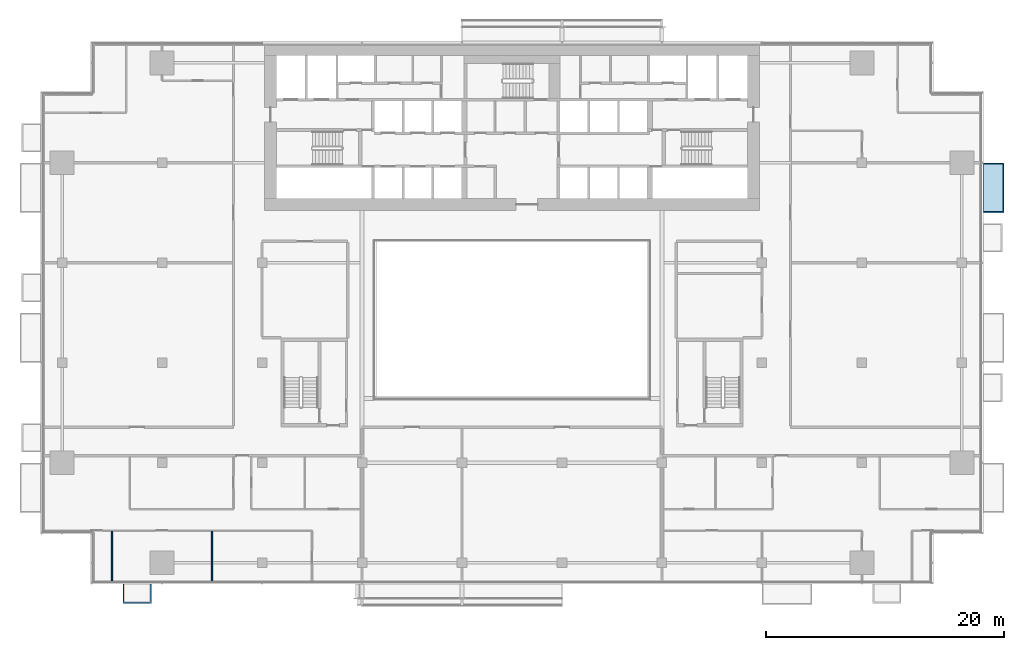
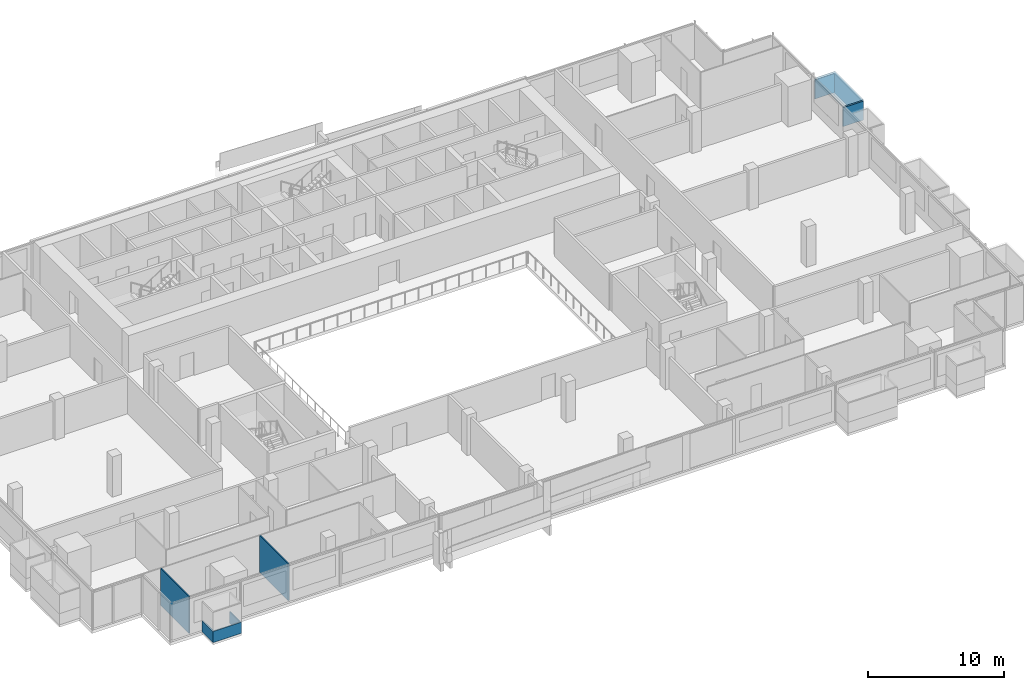
# One storey, part 17 of 26: 3 walls, 2 plates.
"""IFC4 building model written with IfcOpenShell, lengths in metres."""

from ifc_helpers import new_model, si_unit, direction, frame, frame_2d, origin, place, context, subcontext, project, spatial, polyline, rectangle, outline, extrude, material, layer, layer_set, type_object, element, save


model = new_model("IFC4")

# Units and contexts
model_context = context("Model", 3, precision=1e-05, world=origin(), true_north=direction((0.0, 1.0)))
body_context = subcontext(model_context, "Body", "Model", "MODEL_VIEW")
ifc_project = project(units=[si_unit("LENGTHUNIT", "METRE"), si_unit("AREAUNIT", "SQUARE_METRE"), si_unit("VOLUMEUNIT", "CUBIC_METRE"), si_unit("PLANEANGLEUNIT", "RADIAN"), si_unit("MASSUNIT", "GRAM", prefix="KILO")], contexts=[model_context])

# Site, building, storey
site_placement = place(None, origin())
site = spatial("IfcSite", under=ifc_project, at=site_placement, CompositionType="ELEMENT")
building_placement = place(site_placement, origin())
building = spatial("IfcBuilding", under=site, at=building_placement, Name="Saffron Gate Tower", CompositionType="ELEMENT")
storey_placement = place(building_placement, frame((0.0, 0.0, 98.85009765625)))
storey = spatial("IfcBuildingStorey", under=building, at=storey_placement, Name="L22", CompositionType="ELEMENT", Elevation=98.85009765625)

# Plates
ifc_material_1 = material(Name="Aluminium, bronze anodised", Category="aluminium")
ifc_layer_1 = layer(ifc_material_1, 0.1201171875)
ifc_layer_set_1 = layer_set([ifc_layer_1], Name="WB2 box roof")
plate_type_1 = type_object("IfcPlateType", Name="WB2 box roof", PredefinedType="SHEET", material=ifc_layer_set_1)
plate_1_placement = place(storey_placement, frame((0.0, 0.0, 2.699951171875)))
element("IfcPlate", 1, at=plate_1_placement, inside=storey, type_object=plate_type_1, Name="WINDOW BOX roof", PredefinedType="SHEET", context=body_context, shape_type="SweptSolid", body=[
    extrude(outline(polyline([(127.199951171875, 61.199951171875), (127.199951171875, 65.39990234375), (128.93310546875, 65.39990234375), (128.93310546875, 61.199951171875), (127.199951171875, 61.199951171875)])), origin(), (0.0, 0.0, 1.0), 0.119873046875),
])
ifc_material_2 = material(Name="Clear low-iron laminated glass", Category="glass")
ifc_layer_2 = layer(ifc_material_2, 0.10009765625)
ifc_layer_set_2 = layer_set([ifc_layer_2], Name="WB6 box glazing")
plate_type_2 = type_object("IfcPlateType", Name="WB6 box glazing", PredefinedType="SHEET", material=ifc_layer_set_2)
plate_2_placement = place(storey_placement, frame((0.0, 0.0, 1.0)))
element("IfcPlate", 2, at=plate_2_placement, inside=storey, type_object=plate_type_2, Name="WINDOW BOX glazing", PredefinedType="SHEET", context=body_context, shape_type="SweptSolid", body=[
    extrude(outline(polyline([(127.199951171875, 61.199951171875), (127.199951171875, 61.300048828125), (128.8330078125, 61.300048828125), (128.8330078125, 65.300048828125), (127.199951171875, 65.300048828125), (127.199951171875, 65.39990234375), (128.93310546875, 65.39990234375), (128.93310546875, 61.199951171875), (127.199951171875, 61.199951171875)])), origin(), (0.0, 0.0, 1.0), 1.699951171875),
])

# Walls
ifc_material_3 = material(Name="Plasterboard on steel studs", Category="steel")
ifc_layer_3 = layer(ifc_material_3, 0.10009765625)
ifc_layer_set_3 = layer_set([ifc_layer_3], Name="PW1 Partition 100")
wall_type_1 = type_object("IfcWallType", Name="PW1 Partition 100", PredefinedType="PARTITIONING", material=ifc_layer_set_3)
for number, where, z_axis, x_axis, name in (
    (3, (54.0, 34.449951171875, 0.0), (0.0, 0.0, 1.0), (0.0, -1.0, 0.0), "Partition B1-36"),
    (4, (62.39990234375, 34.449951171875, 0.0), (0.0, 0.0, 1.0), (0.0, -1.0, 0.0), "Partition B1-41"),
):
    element("IfcWall", number, at=place(storey_placement, frame(where, z_axis=z_axis, x_axis=x_axis)), inside=storey, type_object=wall_type_1, Name=name, PredefinedType="PARTITIONING", context=body_context, shape_type="SweptSolid", body=[
        extrude(rectangle(XDim=4.169921875, YDim=0.10009765625, at=frame_2d((2.0849609375, 0.0))), origin(), (0.0, 0.0, 1.0), 3.31982421875),
    ])
ifc_material_4 = material(Name="Rendered insulated panel, white")
ifc_layer_4 = layer(ifc_material_4, 0.10009765625)
ifc_layer_set_4 = layer_set([ifc_layer_4], Name="WB3 box parapet white")
wall_type_2 = type_object("IfcWallType", Name="WB3 box parapet white", PredefinedType="SOLIDWALL", material=ifc_layer_set_4)
wall_placement = place(storey_placement, origin())
element("IfcWall", 5, at=wall_placement, inside=storey, type_object=wall_type_2, Name="WINDOW BOX parapet", PredefinedType="SOLIDWALL", context=body_context, shape_type="SweptSolid", body=[
    extrude(outline(polyline([(54.89990234375, 30.0), (55.0, 30.0), (55.0, 28.5), (57.199951171875, 28.5), (57.199951171875, 30.0), (57.300048828125, 30.0), (57.300048828125, 28.39990234375), (54.89990234375, 28.39990234375), (54.89990234375, 30.0)])), origin(), (0.0, 0.0, 1.0), 1.0),
])

save(model, "model.ifc")
